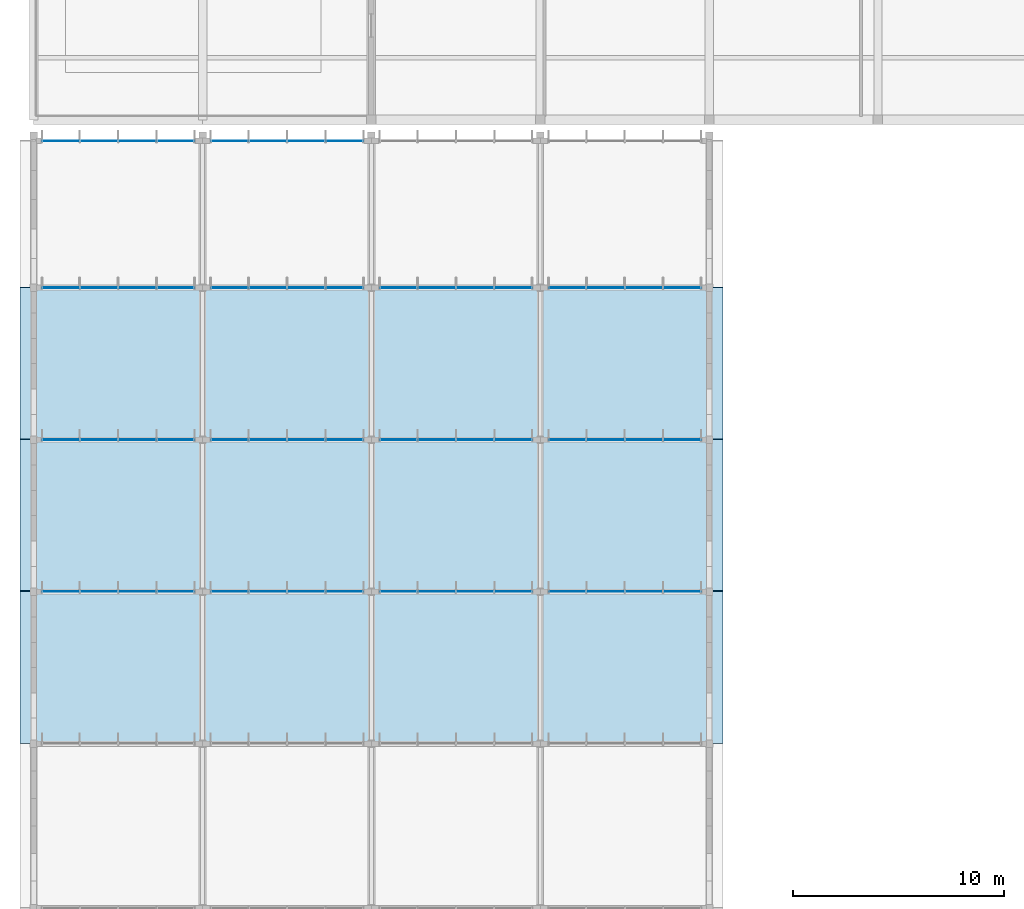
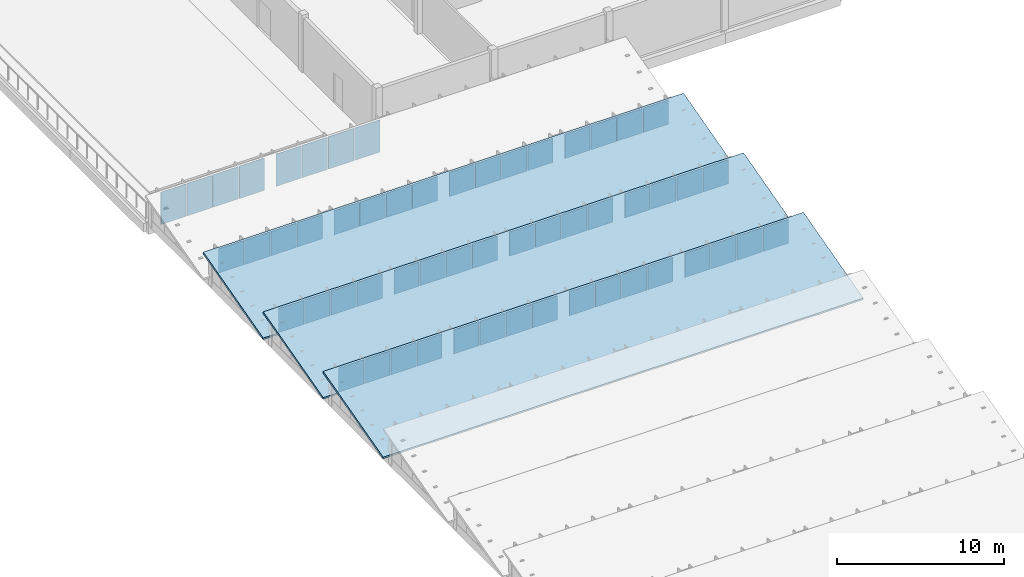
# One storey, part 74 of 94: 56 plates, 3 slabs, 14 elements without a shape of their own.
"""IFC4 building model written with IfcOpenShell, lengths in metres."""

from ifc_helpers import new_model, si_unit, direction, frame, origin, origin_2d, place, context, subcontext, project, spatial, polyline, rectangle, outline, extrude, material, layer, layer_set, type_object, element, aggregate, save


model = new_model("IFC4")

# Units and contexts
model_context = context("Model", 3, precision=1e-05, world=origin(), true_north=direction((0.0, 1.0)))
body_context = subcontext(model_context, "Body", "Model", "MODEL_VIEW")
ifc_project = project(units=[si_unit("LENGTHUNIT", "METRE"), si_unit("AREAUNIT", "SQUARE_METRE"), si_unit("VOLUMEUNIT", "CUBIC_METRE"), si_unit("PLANEANGLEUNIT", "RADIAN"), si_unit("MASSUNIT", "GRAM", prefix="KILO")], contexts=[model_context])

# Site, building, storey
site_placement = place(None, origin())
site = spatial("IfcSite", under=ifc_project, at=site_placement, CompositionType="ELEMENT")
building_placement = place(site_placement, origin())
building = spatial("IfcBuilding", under=site, at=building_placement, Name="Chiffa Square Polytechnic", CompositionType="ELEMENT")
storey_placement = place(building_placement, frame((0.0, 0.0, 18.0)))
storey = spatial("IfcBuildingStorey", under=building, at=storey_placement, Name="L04", CompositionType="ELEMENT", Elevation=18.0)

# Curtain wall, plates
ifc_material_1 = material(Name="Aluminium EN AW-6060 T66 and glulam shading", Category="wood")
curtain_wall_type_1 = type_object("IfcCurtainWallType", Name="CW-VERT-480X380", PredefinedType="USERDEFINED", material=ifc_material_1)
curtain_wall_1_placement = place(storey_placement, origin())
curtain_wall_1 = element("IfcCurtainWall", 1, at=curtain_wall_1_placement, inside=storey, type_object=curtain_wall_type_1, Name="Curtain wall CW-V6-SAW5-1", ObjectType="CURTAIN WALL", PredefinedType="USERDEFINED")
ifc_material_2 = material(Name="Double glazing", Category="glass")
ifc_layer_1 = layer(ifc_material_2, 0.035888671875, Name="Double glazing")
ifc_layer_set_1 = layer_set([ifc_layer_1], Name="Double glazing")
plate_type = type_object("IfcPlateType", Name="CWP-GLZ-150X145", PredefinedType="CURTAIN_PANEL", material=ifc_layer_set_1)
plate_1_placement = place(storey_placement, frame((6.718994140625, 72.60009765625, 0.74951171875), z_axis=(0.0, 0.0, 1.0), x_axis=(-1.0, 0.0, 0.0)))
plate_1 = element("IfcPlate", 2, at=plate_1_placement, type_object=plate_type, Name="Glazed curtain panel CW-V6-SAW5-1-PN01", PredefinedType="CURTAIN_PANEL", context=body_context, shape_type="SweptSolid", body=[
    extrude(rectangle(XDim=1.74609375, YDim=0.035888671875, at=origin_2d()), origin(), (0.0, 0.0, 1.0), 1.779052734375),
])
plate_2_placement = place(storey_placement, frame((4.909912109375, 72.60009765625, 0.74951171875), z_axis=(0.0, 0.0, 1.0), x_axis=(-1.0, 0.0, 0.0)))
plate_2 = element("IfcPlate", 3, at=plate_2_placement, type_object=plate_type, Name="Glazed curtain panel CW-V6-SAW5-1-PN02", PredefinedType="CURTAIN_PANEL", context=body_context, shape_type="SweptSolid", body=[
    extrude(rectangle(XDim=1.76806640625, YDim=0.035888671875, at=origin_2d()), origin(), (0.0, 0.0, 1.0), 1.779052734375),
])
plate_3_placement = place(storey_placement, frame((3.090087890625, 72.60009765625, 0.74951171875), z_axis=(0.0, 0.0, 1.0), x_axis=(-1.0, 0.0, 0.0)))
plate_3 = element("IfcPlate", 4, at=plate_3_placement, type_object=plate_type, Name="Glazed curtain panel CW-V6-SAW5-1-PN03", PredefinedType="CURTAIN_PANEL", context=body_context, shape_type="SweptSolid", body=[
    extrude(rectangle(XDim=1.76806640625, YDim=0.035888671875, at=origin_2d()), origin(), (0.0, 0.0, 1.0), 1.779052734375),
])
plate_4_placement = place(storey_placement, frame((1.281005859375, 72.60009765625, 0.74951171875), z_axis=(0.0, 0.0, 1.0), x_axis=(-1.0, 0.0, 0.0)))
plate_4 = element("IfcPlate", 5, at=plate_4_placement, type_object=plate_type, Name="Glazed curtain panel CW-V6-SAW5-1-PN04", PredefinedType="CURTAIN_PANEL", context=body_context, shape_type="SweptSolid", body=[
    extrude(rectangle(XDim=1.74609375, YDim=0.035888671875, at=origin_2d()), origin(), (0.0, 0.0, 1.0), 1.779052734375),
])
aggregate(curtain_wall_1, [plate_1, plate_2, plate_3, plate_4])

curtain_wall_type_2 = type_object("IfcCurtainWallType", Name="CW-VERT-540X440", PredefinedType="USERDEFINED", material=ifc_material_1)
curtain_wall_2_placement = place(storey_placement, origin())
curtain_wall_2 = element("IfcCurtainWall", 6, at=curtain_wall_2_placement, inside=storey, type_object=curtain_wall_type_2, Name="Curtain wall CW-V6-SAW5-2", ObjectType="CURTAIN WALL", PredefinedType="USERDEFINED")
plate_5_placement = place(storey_placement, frame((14.718994140625, 72.60009765625, 0.74951171875), z_axis=(0.0, 0.0, 1.0), x_axis=(-1.0, 0.0, 0.0)))
plate_5 = element("IfcPlate", 7, at=plate_5_placement, type_object=plate_type, Name="Glazed curtain panel CW-V6-SAW5-2-PN01", PredefinedType="CURTAIN_PANEL", context=body_context, shape_type="SweptSolid", body=[
    extrude(rectangle(XDim=1.74609375, YDim=0.035888671875, at=origin_2d()), origin(), (0.0, 0.0, 1.0), 1.779052734375),
])
plate_6_placement = place(storey_placement, frame((12.909912109375, 72.60009765625, 0.74951171875), z_axis=(0.0, 0.0, 1.0), x_axis=(-1.0, 0.0, 0.0)))
plate_6 = element("IfcPlate", 8, at=plate_6_placement, type_object=plate_type, Name="Glazed curtain panel CW-V6-SAW5-2-PN02", PredefinedType="CURTAIN_PANEL", context=body_context, shape_type="SweptSolid", body=[
    extrude(rectangle(XDim=1.76806640625, YDim=0.035888671875, at=origin_2d()), origin(), (0.0, 0.0, 1.0), 1.779052734375),
])
plate_7_placement = place(storey_placement, frame((11.090087890625, 72.60009765625, 0.74951171875), z_axis=(0.0, 0.0, 1.0), x_axis=(-1.0, 0.0, 0.0)))
plate_7 = element("IfcPlate", 9, at=plate_7_placement, type_object=plate_type, Name="Glazed curtain panel CW-V6-SAW5-2-PN03", PredefinedType="CURTAIN_PANEL", context=body_context, shape_type="SweptSolid", body=[
    extrude(rectangle(XDim=1.76806640625, YDim=0.035888671875, at=origin_2d()), origin(), (0.0, 0.0, 1.0), 1.779052734375),
])
plate_8_placement = place(storey_placement, frame((9.281005859375, 72.60009765625, 0.74951171875), z_axis=(0.0, 0.0, 1.0), x_axis=(-1.0, 0.0, 0.0)))
plate_8 = element("IfcPlate", 10, at=plate_8_placement, type_object=plate_type, Name="Glazed curtain panel CW-V6-SAW5-2-PN04", PredefinedType="CURTAIN_PANEL", context=body_context, shape_type="SweptSolid", body=[
    extrude(rectangle(XDim=1.74609375, YDim=0.035888671875, at=origin_2d()), origin(), (0.0, 0.0, 1.0), 1.779052734375),
])
aggregate(curtain_wall_2, [plate_5, plate_6, plate_7, plate_8])

curtain_wall_type_3 = type_object("IfcCurtainWallType", Name="CW-VERT-450X440", PredefinedType="USERDEFINED", material=ifc_material_1)
curtain_wall_3_placement = place(storey_placement, origin())
curtain_wall_3 = element("IfcCurtainWall", 11, at=curtain_wall_3_placement, inside=storey, type_object=curtain_wall_type_3, Name="Curtain wall CW-V6-SAW5-3", ObjectType="CURTAIN WALL", PredefinedType="USERDEFINED")
plate_9_placement = place(storey_placement, frame((22.718994140625, 72.60009765625, 0.74951171875), z_axis=(0.0, 0.0, 1.0), x_axis=(-1.0, 0.0, 0.0)))
plate_9 = element("IfcPlate", 12, at=plate_9_placement, type_object=plate_type, Name="Glazed curtain panel CW-V6-SAW5-3-PN01", PredefinedType="CURTAIN_PANEL", context=body_context, shape_type="SweptSolid", body=[
    extrude(rectangle(XDim=1.74609375, YDim=0.035888671875, at=origin_2d()), origin(), (0.0, 0.0, 1.0), 1.779052734375),
])
plate_10_placement = place(storey_placement, frame((20.909912109375, 72.60009765625, 0.74951171875), z_axis=(0.0, 0.0, 1.0), x_axis=(-1.0, 0.0, 0.0)))
plate_10 = element("IfcPlate", 13, at=plate_10_placement, type_object=plate_type, Name="Glazed curtain panel CW-V6-SAW5-3-PN02", PredefinedType="CURTAIN_PANEL", context=body_context, shape_type="SweptSolid", body=[
    extrude(rectangle(XDim=1.76806640625, YDim=0.035888671875, at=origin_2d()), origin(), (0.0, 0.0, 1.0), 1.779052734375),
])
plate_11_placement = place(storey_placement, frame((19.090087890625, 72.60009765625, 0.74951171875), z_axis=(0.0, 0.0, 1.0), x_axis=(-1.0, 0.0, 0.0)))
plate_11 = element("IfcPlate", 14, at=plate_11_placement, type_object=plate_type, Name="Glazed curtain panel CW-V6-SAW5-3-PN03", PredefinedType="CURTAIN_PANEL", context=body_context, shape_type="SweptSolid", body=[
    extrude(rectangle(XDim=1.76806640625, YDim=0.035888671875, at=origin_2d()), origin(), (0.0, 0.0, 1.0), 1.779052734375),
])
plate_12_placement = place(storey_placement, frame((17.281005859375, 72.60009765625, 0.74951171875), z_axis=(0.0, 0.0, 1.0), x_axis=(-1.0, 0.0, 0.0)))
plate_12 = element("IfcPlate", 15, at=plate_12_placement, type_object=plate_type, Name="Glazed curtain panel CW-V6-SAW5-3-PN04", PredefinedType="CURTAIN_PANEL", context=body_context, shape_type="SweptSolid", body=[
    extrude(rectangle(XDim=1.74609375, YDim=0.035888671875, at=origin_2d()), origin(), (0.0, 0.0, 1.0), 1.779052734375),
])
aggregate(curtain_wall_3, [plate_9, plate_10, plate_11, plate_12])

curtain_wall_type_4 = type_object("IfcCurtainWallType", Name="CW-VERT-600X440", PredefinedType="USERDEFINED", material=ifc_material_1)
curtain_wall_4_placement = place(storey_placement, origin())
curtain_wall_4 = element("IfcCurtainWall", 16, at=curtain_wall_4_placement, inside=storey, type_object=curtain_wall_type_4, Name="Curtain wall CW-V6-SAW5-4", ObjectType="CURTAIN WALL", PredefinedType="USERDEFINED")
plate_13_placement = place(storey_placement, frame((30.718994140625, 72.60009765625, 0.74951171875), z_axis=(0.0, 0.0, 1.0), x_axis=(-1.0, 0.0, 0.0)))
plate_13 = element("IfcPlate", 17, at=plate_13_placement, type_object=plate_type, Name="Glazed curtain panel CW-V6-SAW5-4-PN01", PredefinedType="CURTAIN_PANEL", context=body_context, shape_type="SweptSolid", body=[
    extrude(rectangle(XDim=1.74609375, YDim=0.035888671875, at=origin_2d()), origin(), (0.0, 0.0, 1.0), 1.779052734375),
])
plate_14_placement = place(storey_placement, frame((28.909912109375, 72.60009765625, 0.74951171875), z_axis=(0.0, 0.0, 1.0), x_axis=(-1.0, 0.0, 0.0)))
plate_14 = element("IfcPlate", 18, at=plate_14_placement, type_object=plate_type, Name="Glazed curtain panel CW-V6-SAW5-4-PN02", PredefinedType="CURTAIN_PANEL", context=body_context, shape_type="SweptSolid", body=[
    extrude(rectangle(XDim=1.76806640625, YDim=0.035888671875, at=origin_2d()), origin(), (0.0, 0.0, 1.0), 1.779052734375),
])
plate_15_placement = place(storey_placement, frame((27.090087890625, 72.60009765625, 0.74951171875), z_axis=(0.0, 0.0, 1.0), x_axis=(-1.0, 0.0, 0.0)))
plate_15 = element("IfcPlate", 19, at=plate_15_placement, type_object=plate_type, Name="Glazed curtain panel CW-V6-SAW5-4-PN03", PredefinedType="CURTAIN_PANEL", context=body_context, shape_type="SweptSolid", body=[
    extrude(rectangle(XDim=1.76806640625, YDim=0.035888671875, at=origin_2d()), origin(), (0.0, 0.0, 1.0), 1.779052734375),
])
plate_16_placement = place(storey_placement, frame((25.281005859375, 72.60009765625, 0.74951171875), z_axis=(0.0, 0.0, 1.0), x_axis=(-1.0, 0.0, 0.0)))
plate_16 = element("IfcPlate", 20, at=plate_16_placement, type_object=plate_type, Name="Glazed curtain panel CW-V6-SAW5-4-PN04", PredefinedType="CURTAIN_PANEL", context=body_context, shape_type="SweptSolid", body=[
    extrude(rectangle(XDim=1.74609375, YDim=0.035888671875, at=origin_2d()), origin(), (0.0, 0.0, 1.0), 1.779052734375),
])
aggregate(curtain_wall_4, [plate_13, plate_14, plate_15, plate_16])

curtain_wall_5_placement = place(storey_placement, origin())
curtain_wall_5 = element("IfcCurtainWall", 21, at=curtain_wall_5_placement, inside=storey, type_object=curtain_wall_type_2, Name="Curtain wall CW-V6-SAW6-1", ObjectType="CURTAIN WALL", PredefinedType="USERDEFINED")
plate_17_placement = place(storey_placement, frame((6.718994140625, 79.800048828125, 0.74951171875), z_axis=(0.0, 0.0, 1.0), x_axis=(-1.0, 0.0, 0.0)))
plate_17 = element("IfcPlate", 22, at=plate_17_placement, type_object=plate_type, Name="Glazed curtain panel CW-V6-SAW6-1-PN01", PredefinedType="CURTAIN_PANEL", context=body_context, shape_type="SweptSolid", body=[
    extrude(rectangle(XDim=1.74609375, YDim=0.035888671875, at=origin_2d()), origin(), (0.0, 0.0, 1.0), 1.779052734375),
])
plate_18_placement = place(storey_placement, frame((4.909912109375, 79.800048828125, 0.74951171875), z_axis=(0.0, 0.0, 1.0), x_axis=(-1.0, 0.0, 0.0)))
plate_18 = element("IfcPlate", 23, at=plate_18_placement, type_object=plate_type, Name="Glazed curtain panel CW-V6-SAW6-1-PN02", PredefinedType="CURTAIN_PANEL", context=body_context, shape_type="SweptSolid", body=[
    extrude(rectangle(XDim=1.76806640625, YDim=0.035888671875, at=origin_2d()), origin(), (0.0, 0.0, 1.0), 1.779052734375),
])
plate_19_placement = place(storey_placement, frame((3.090087890625, 79.800048828125, 0.74951171875), z_axis=(0.0, 0.0, 1.0), x_axis=(-1.0, 0.0, 0.0)))
plate_19 = element("IfcPlate", 24, at=plate_19_placement, type_object=plate_type, Name="Glazed curtain panel CW-V6-SAW6-1-PN03", PredefinedType="CURTAIN_PANEL", context=body_context, shape_type="SweptSolid", body=[
    extrude(rectangle(XDim=1.76806640625, YDim=0.035888671875, at=origin_2d()), origin(), (0.0, 0.0, 1.0), 1.779052734375),
])
plate_20_placement = place(storey_placement, frame((1.281005859375, 79.800048828125, 0.74951171875), z_axis=(0.0, 0.0, 1.0), x_axis=(-1.0, 0.0, 0.0)))
plate_20 = element("IfcPlate", 25, at=plate_20_placement, type_object=plate_type, Name="Glazed curtain panel CW-V6-SAW6-1-PN04", PredefinedType="CURTAIN_PANEL", context=body_context, shape_type="SweptSolid", body=[
    extrude(rectangle(XDim=1.74609375, YDim=0.035888671875, at=origin_2d()), origin(), (0.0, 0.0, 1.0), 1.779052734375),
])
aggregate(curtain_wall_5, [plate_17, plate_18, plate_19, plate_20])

curtain_wall_6_placement = place(storey_placement, origin())
curtain_wall_6 = element("IfcCurtainWall", 26, at=curtain_wall_6_placement, inside=storey, type_object=curtain_wall_type_3, Name="Curtain wall CW-V6-SAW6-2", ObjectType="CURTAIN WALL", PredefinedType="USERDEFINED")
plate_21_placement = place(storey_placement, frame((14.718994140625, 79.800048828125, 0.74951171875), z_axis=(0.0, 0.0, 1.0), x_axis=(-1.0, 0.0, 0.0)))
plate_21 = element("IfcPlate", 27, at=plate_21_placement, type_object=plate_type, Name="Glazed curtain panel CW-V6-SAW6-2-PN01", PredefinedType="CURTAIN_PANEL", context=body_context, shape_type="SweptSolid", body=[
    extrude(rectangle(XDim=1.74609375, YDim=0.035888671875, at=origin_2d()), origin(), (0.0, 0.0, 1.0), 1.779052734375),
])
plate_22_placement = place(storey_placement, frame((12.909912109375, 79.800048828125, 0.74951171875), z_axis=(0.0, 0.0, 1.0), x_axis=(-1.0, 0.0, 0.0)))
plate_22 = element("IfcPlate", 28, at=plate_22_placement, type_object=plate_type, Name="Glazed curtain panel CW-V6-SAW6-2-PN02", PredefinedType="CURTAIN_PANEL", context=body_context, shape_type="SweptSolid", body=[
    extrude(rectangle(XDim=1.76806640625, YDim=0.035888671875, at=origin_2d()), origin(), (0.0, 0.0, 1.0), 1.779052734375),
])
plate_23_placement = place(storey_placement, frame((11.090087890625, 79.800048828125, 0.74951171875), z_axis=(0.0, 0.0, 1.0), x_axis=(-1.0, 0.0, 0.0)))
plate_23 = element("IfcPlate", 29, at=plate_23_placement, type_object=plate_type, Name="Glazed curtain panel CW-V6-SAW6-2-PN03", PredefinedType="CURTAIN_PANEL", context=body_context, shape_type="SweptSolid", body=[
    extrude(rectangle(XDim=1.76806640625, YDim=0.035888671875, at=origin_2d()), origin(), (0.0, 0.0, 1.0), 1.779052734375),
])
plate_24_placement = place(storey_placement, frame((9.281005859375, 79.800048828125, 0.74951171875), z_axis=(0.0, 0.0, 1.0), x_axis=(-1.0, 0.0, 0.0)))
plate_24 = element("IfcPlate", 30, at=plate_24_placement, type_object=plate_type, Name="Glazed curtain panel CW-V6-SAW6-2-PN04", PredefinedType="CURTAIN_PANEL", context=body_context, shape_type="SweptSolid", body=[
    extrude(rectangle(XDim=1.74609375, YDim=0.035888671875, at=origin_2d()), origin(), (0.0, 0.0, 1.0), 1.779052734375),
])
aggregate(curtain_wall_6, [plate_21, plate_22, plate_23, plate_24])

curtain_wall_7_placement = place(storey_placement, origin())
curtain_wall_7 = element("IfcCurtainWall", 31, at=curtain_wall_7_placement, inside=storey, type_object=curtain_wall_type_4, Name="Curtain wall CW-V6-SAW6-3", ObjectType="CURTAIN WALL", PredefinedType="USERDEFINED")
plate_25_placement = place(storey_placement, frame((22.718994140625, 79.800048828125, 0.74951171875), z_axis=(0.0, 0.0, 1.0), x_axis=(-1.0, 0.0, 0.0)))
plate_25 = element("IfcPlate", 32, at=plate_25_placement, type_object=plate_type, Name="Glazed curtain panel CW-V6-SAW6-3-PN01", PredefinedType="CURTAIN_PANEL", context=body_context, shape_type="SweptSolid", body=[
    extrude(rectangle(XDim=1.74609375, YDim=0.035888671875, at=origin_2d()), origin(), (0.0, 0.0, 1.0), 1.779052734375),
])
plate_26_placement = place(storey_placement, frame((20.909912109375, 79.800048828125, 0.74951171875), z_axis=(0.0, 0.0, 1.0), x_axis=(-1.0, 0.0, 0.0)))
plate_26 = element("IfcPlate", 33, at=plate_26_placement, type_object=plate_type, Name="Glazed curtain panel CW-V6-SAW6-3-PN02", PredefinedType="CURTAIN_PANEL", context=body_context, shape_type="SweptSolid", body=[
    extrude(rectangle(XDim=1.76806640625, YDim=0.035888671875, at=origin_2d()), origin(), (0.0, 0.0, 1.0), 1.779052734375),
])
plate_27_placement = place(storey_placement, frame((19.090087890625, 79.800048828125, 0.74951171875), z_axis=(0.0, 0.0, 1.0), x_axis=(-1.0, 0.0, 0.0)))
plate_27 = element("IfcPlate", 34, at=plate_27_placement, type_object=plate_type, Name="Glazed curtain panel CW-V6-SAW6-3-PN03", PredefinedType="CURTAIN_PANEL", context=body_context, shape_type="SweptSolid", body=[
    extrude(rectangle(XDim=1.76806640625, YDim=0.035888671875, at=origin_2d()), origin(), (0.0, 0.0, 1.0), 1.779052734375),
])
plate_28_placement = place(storey_placement, frame((17.281005859375, 79.800048828125, 0.74951171875), z_axis=(0.0, 0.0, 1.0), x_axis=(-1.0, 0.0, 0.0)))
plate_28 = element("IfcPlate", 35, at=plate_28_placement, type_object=plate_type, Name="Glazed curtain panel CW-V6-SAW6-3-PN04", PredefinedType="CURTAIN_PANEL", context=body_context, shape_type="SweptSolid", body=[
    extrude(rectangle(XDim=1.74609375, YDim=0.035888671875, at=origin_2d()), origin(), (0.0, 0.0, 1.0), 1.779052734375),
])
aggregate(curtain_wall_7, [plate_25, plate_26, plate_27, plate_28])

curtain_wall_type_5 = type_object("IfcCurtainWallType", Name="CW-VERT-450X380", PredefinedType="USERDEFINED", material=ifc_material_1)
curtain_wall_8_placement = place(storey_placement, origin())
curtain_wall_8 = element("IfcCurtainWall", 36, at=curtain_wall_8_placement, inside=storey, type_object=curtain_wall_type_5, Name="Curtain wall CW-V6-SAW6-4", ObjectType="CURTAIN WALL", PredefinedType="USERDEFINED")
plate_29_placement = place(storey_placement, frame((30.718994140625, 79.800048828125, 0.74951171875), z_axis=(0.0, 0.0, 1.0), x_axis=(-1.0, 0.0, 0.0)))
plate_29 = element("IfcPlate", 37, at=plate_29_placement, type_object=plate_type, Name="Glazed curtain panel CW-V6-SAW6-4-PN01", PredefinedType="CURTAIN_PANEL", context=body_context, shape_type="SweptSolid", body=[
    extrude(rectangle(XDim=1.74609375, YDim=0.035888671875, at=origin_2d()), origin(), (0.0, 0.0, 1.0), 1.779052734375),
])
plate_30_placement = place(storey_placement, frame((28.909912109375, 79.800048828125, 0.74951171875), z_axis=(0.0, 0.0, 1.0), x_axis=(-1.0, 0.0, 0.0)))
plate_30 = element("IfcPlate", 38, at=plate_30_placement, type_object=plate_type, Name="Glazed curtain panel CW-V6-SAW6-4-PN02", PredefinedType="CURTAIN_PANEL", context=body_context, shape_type="SweptSolid", body=[
    extrude(rectangle(XDim=1.76806640625, YDim=0.035888671875, at=origin_2d()), origin(), (0.0, 0.0, 1.0), 1.779052734375),
])
plate_31_placement = place(storey_placement, frame((27.090087890625, 79.800048828125, 0.74951171875), z_axis=(0.0, 0.0, 1.0), x_axis=(-1.0, 0.0, 0.0)))
plate_31 = element("IfcPlate", 39, at=plate_31_placement, type_object=plate_type, Name="Glazed curtain panel CW-V6-SAW6-4-PN03", PredefinedType="CURTAIN_PANEL", context=body_context, shape_type="SweptSolid", body=[
    extrude(rectangle(XDim=1.76806640625, YDim=0.035888671875, at=origin_2d()), origin(), (0.0, 0.0, 1.0), 1.779052734375),
])
plate_32_placement = place(storey_placement, frame((25.281005859375, 79.800048828125, 0.74951171875), z_axis=(0.0, 0.0, 1.0), x_axis=(-1.0, 0.0, 0.0)))
plate_32 = element("IfcPlate", 40, at=plate_32_placement, type_object=plate_type, Name="Glazed curtain panel CW-V6-SAW6-4-PN04", PredefinedType="CURTAIN_PANEL", context=body_context, shape_type="SweptSolid", body=[
    extrude(rectangle(XDim=1.74609375, YDim=0.035888671875, at=origin_2d()), origin(), (0.0, 0.0, 1.0), 1.779052734375),
])
aggregate(curtain_wall_8, [plate_29, plate_30, plate_31, plate_32])

curtain_wall_9_placement = place(storey_placement, origin())
curtain_wall_9 = element("IfcCurtainWall", 41, at=curtain_wall_9_placement, inside=storey, type_object=curtain_wall_type_3, Name="Curtain wall CW-V6-SAW7-1", ObjectType="CURTAIN WALL", PredefinedType="USERDEFINED")
plate_33_placement = place(storey_placement, frame((6.718994140625, 87.0, 0.74951171875), z_axis=(0.0, 0.0, 1.0), x_axis=(-1.0, 0.0, 0.0)))
plate_33 = element("IfcPlate", 42, at=plate_33_placement, type_object=plate_type, Name="Glazed curtain panel CW-V6-SAW7-1-PN01", PredefinedType="CURTAIN_PANEL", context=body_context, shape_type="SweptSolid", body=[
    extrude(rectangle(XDim=1.74609375, YDim=0.035888671875, at=origin_2d()), origin(), (0.0, 0.0, 1.0), 1.779052734375),
])
plate_34_placement = place(storey_placement, frame((4.909912109375, 87.0, 0.74951171875), z_axis=(0.0, 0.0, 1.0), x_axis=(-1.0, 0.0, 0.0)))
plate_34 = element("IfcPlate", 43, at=plate_34_placement, type_object=plate_type, Name="Glazed curtain panel CW-V6-SAW7-1-PN02", PredefinedType="CURTAIN_PANEL", context=body_context, shape_type="SweptSolid", body=[
    extrude(rectangle(XDim=1.76806640625, YDim=0.035888671875, at=origin_2d()), origin(), (0.0, 0.0, 1.0), 1.779052734375),
])
plate_35_placement = place(storey_placement, frame((3.090087890625, 87.0, 0.74951171875), z_axis=(0.0, 0.0, 1.0), x_axis=(-1.0, 0.0, 0.0)))
plate_35 = element("IfcPlate", 44, at=plate_35_placement, type_object=plate_type, Name="Glazed curtain panel CW-V6-SAW7-1-PN03", PredefinedType="CURTAIN_PANEL", context=body_context, shape_type="SweptSolid", body=[
    extrude(rectangle(XDim=1.76806640625, YDim=0.035888671875, at=origin_2d()), origin(), (0.0, 0.0, 1.0), 1.779052734375),
])
plate_36_placement = place(storey_placement, frame((1.281005859375, 87.0, 0.74951171875), z_axis=(0.0, 0.0, 1.0), x_axis=(-1.0, 0.0, 0.0)))
plate_36 = element("IfcPlate", 45, at=plate_36_placement, type_object=plate_type, Name="Glazed curtain panel CW-V6-SAW7-1-PN04", PredefinedType="CURTAIN_PANEL", context=body_context, shape_type="SweptSolid", body=[
    extrude(rectangle(XDim=1.74609375, YDim=0.035888671875, at=origin_2d()), origin(), (0.0, 0.0, 1.0), 1.779052734375),
])
aggregate(curtain_wall_9, [plate_33, plate_34, plate_35, plate_36])

curtain_wall_10_placement = place(storey_placement, origin())
curtain_wall_10 = element("IfcCurtainWall", 46, at=curtain_wall_10_placement, inside=storey, type_object=curtain_wall_type_4, Name="Curtain wall CW-V6-SAW7-2", ObjectType="CURTAIN WALL", PredefinedType="USERDEFINED")
plate_37_placement = place(storey_placement, frame((14.718994140625, 87.0, 0.74951171875), z_axis=(0.0, 0.0, 1.0), x_axis=(-1.0, 0.0, 0.0)))
plate_37 = element("IfcPlate", 47, at=plate_37_placement, type_object=plate_type, Name="Glazed curtain panel CW-V6-SAW7-2-PN01", PredefinedType="CURTAIN_PANEL", context=body_context, shape_type="SweptSolid", body=[
    extrude(rectangle(XDim=1.74609375, YDim=0.035888671875, at=origin_2d()), origin(), (0.0, 0.0, 1.0), 1.779052734375),
])
plate_38_placement = place(storey_placement, frame((12.909912109375, 87.0, 0.74951171875), z_axis=(0.0, 0.0, 1.0), x_axis=(-1.0, 0.0, 0.0)))
plate_38 = element("IfcPlate", 48, at=plate_38_placement, type_object=plate_type, Name="Glazed curtain panel CW-V6-SAW7-2-PN02", PredefinedType="CURTAIN_PANEL", context=body_context, shape_type="SweptSolid", body=[
    extrude(rectangle(XDim=1.76806640625, YDim=0.035888671875, at=origin_2d()), origin(), (0.0, 0.0, 1.0), 1.779052734375),
])
plate_39_placement = place(storey_placement, frame((11.090087890625, 87.0, 0.74951171875), z_axis=(0.0, 0.0, 1.0), x_axis=(-1.0, 0.0, 0.0)))
plate_39 = element("IfcPlate", 49, at=plate_39_placement, type_object=plate_type, Name="Glazed curtain panel CW-V6-SAW7-2-PN03", PredefinedType="CURTAIN_PANEL", context=body_context, shape_type="SweptSolid", body=[
    extrude(rectangle(XDim=1.76806640625, YDim=0.035888671875, at=origin_2d()), origin(), (0.0, 0.0, 1.0), 1.779052734375),
])
plate_40_placement = place(storey_placement, frame((9.281005859375, 87.0, 0.74951171875), z_axis=(0.0, 0.0, 1.0), x_axis=(-1.0, 0.0, 0.0)))
plate_40 = element("IfcPlate", 50, at=plate_40_placement, type_object=plate_type, Name="Glazed curtain panel CW-V6-SAW7-2-PN04", PredefinedType="CURTAIN_PANEL", context=body_context, shape_type="SweptSolid", body=[
    extrude(rectangle(XDim=1.74609375, YDim=0.035888671875, at=origin_2d()), origin(), (0.0, 0.0, 1.0), 1.779052734375),
])
aggregate(curtain_wall_10, [plate_37, plate_38, plate_39, plate_40])

curtain_wall_11_placement = place(storey_placement, origin())
curtain_wall_11 = element("IfcCurtainWall", 51, at=curtain_wall_11_placement, inside=storey, type_object=curtain_wall_type_5, Name="Curtain wall CW-V6-SAW7-3", ObjectType="CURTAIN WALL", PredefinedType="USERDEFINED")
plate_41_placement = place(storey_placement, frame((22.718994140625, 87.0, 0.74951171875), z_axis=(0.0, 0.0, 1.0), x_axis=(-1.0, 0.0, 0.0)))
plate_41 = element("IfcPlate", 52, at=plate_41_placement, type_object=plate_type, Name="Glazed curtain panel CW-V6-SAW7-3-PN01", PredefinedType="CURTAIN_PANEL", context=body_context, shape_type="SweptSolid", body=[
    extrude(rectangle(XDim=1.74609375, YDim=0.035888671875, at=origin_2d()), origin(), (0.0, 0.0, 1.0), 1.779052734375),
])
plate_42_placement = place(storey_placement, frame((20.909912109375, 87.0, 0.74951171875), z_axis=(0.0, 0.0, 1.0), x_axis=(-1.0, 0.0, 0.0)))
plate_42 = element("IfcPlate", 53, at=plate_42_placement, type_object=plate_type, Name="Glazed curtain panel CW-V6-SAW7-3-PN02", PredefinedType="CURTAIN_PANEL", context=body_context, shape_type="SweptSolid", body=[
    extrude(rectangle(XDim=1.76806640625, YDim=0.035888671875, at=origin_2d()), origin(), (0.0, 0.0, 1.0), 1.779052734375),
])
plate_43_placement = place(storey_placement, frame((19.090087890625, 87.0, 0.74951171875), z_axis=(0.0, 0.0, 1.0), x_axis=(-1.0, 0.0, 0.0)))
plate_43 = element("IfcPlate", 54, at=plate_43_placement, type_object=plate_type, Name="Glazed curtain panel CW-V6-SAW7-3-PN03", PredefinedType="CURTAIN_PANEL", context=body_context, shape_type="SweptSolid", body=[
    extrude(rectangle(XDim=1.76806640625, YDim=0.035888671875, at=origin_2d()), origin(), (0.0, 0.0, 1.0), 1.779052734375),
])
plate_44_placement = place(storey_placement, frame((17.281005859375, 87.0, 0.74951171875), z_axis=(0.0, 0.0, 1.0), x_axis=(-1.0, 0.0, 0.0)))
plate_44 = element("IfcPlate", 55, at=plate_44_placement, type_object=plate_type, Name="Glazed curtain panel CW-V6-SAW7-3-PN04", PredefinedType="CURTAIN_PANEL", context=body_context, shape_type="SweptSolid", body=[
    extrude(rectangle(XDim=1.74609375, YDim=0.035888671875, at=origin_2d()), origin(), (0.0, 0.0, 1.0), 1.779052734375),
])
aggregate(curtain_wall_11, [plate_41, plate_42, plate_43, plate_44])

curtain_wall_type_6 = type_object("IfcCurtainWallType", Name="CW-VERT-300X380", PredefinedType="USERDEFINED", material=ifc_material_1)
curtain_wall_12_placement = place(storey_placement, origin())
curtain_wall_12 = element("IfcCurtainWall", 56, at=curtain_wall_12_placement, inside=storey, type_object=curtain_wall_type_6, Name="Curtain wall CW-V6-SAW7-4", ObjectType="CURTAIN WALL", PredefinedType="USERDEFINED")
plate_45_placement = place(storey_placement, frame((30.718994140625, 87.0, 0.74951171875), z_axis=(0.0, 0.0, 1.0), x_axis=(-1.0, 0.0, 0.0)))
plate_45 = element("IfcPlate", 57, at=plate_45_placement, type_object=plate_type, Name="Glazed curtain panel CW-V6-SAW7-4-PN01", PredefinedType="CURTAIN_PANEL", context=body_context, shape_type="SweptSolid", body=[
    extrude(rectangle(XDim=1.74609375, YDim=0.035888671875, at=origin_2d()), origin(), (0.0, 0.0, 1.0), 1.779052734375),
])
plate_46_placement = place(storey_placement, frame((28.909912109375, 87.0, 0.74951171875), z_axis=(0.0, 0.0, 1.0), x_axis=(-1.0, 0.0, 0.0)))
plate_46 = element("IfcPlate", 58, at=plate_46_placement, type_object=plate_type, Name="Glazed curtain panel CW-V6-SAW7-4-PN02", PredefinedType="CURTAIN_PANEL", context=body_context, shape_type="SweptSolid", body=[
    extrude(rectangle(XDim=1.76806640625, YDim=0.035888671875, at=origin_2d()), origin(), (0.0, 0.0, 1.0), 1.779052734375),
])
plate_47_placement = place(storey_placement, frame((27.090087890625, 87.0, 0.74951171875), z_axis=(0.0, 0.0, 1.0), x_axis=(-1.0, 0.0, 0.0)))
plate_47 = element("IfcPlate", 59, at=plate_47_placement, type_object=plate_type, Name="Glazed curtain panel CW-V6-SAW7-4-PN03", PredefinedType="CURTAIN_PANEL", context=body_context, shape_type="SweptSolid", body=[
    extrude(rectangle(XDim=1.76806640625, YDim=0.035888671875, at=origin_2d()), origin(), (0.0, 0.0, 1.0), 1.779052734375),
])
plate_48_placement = place(storey_placement, frame((25.281005859375, 87.0, 0.74951171875), z_axis=(0.0, 0.0, 1.0), x_axis=(-1.0, 0.0, 0.0)))
plate_48 = element("IfcPlate", 60, at=plate_48_placement, type_object=plate_type, Name="Glazed curtain panel CW-V6-SAW7-4-PN04", PredefinedType="CURTAIN_PANEL", context=body_context, shape_type="SweptSolid", body=[
    extrude(rectangle(XDim=1.74609375, YDim=0.035888671875, at=origin_2d()), origin(), (0.0, 0.0, 1.0), 1.779052734375),
])
aggregate(curtain_wall_12, [plate_45, plate_46, plate_47, plate_48])

curtain_wall_13_placement = place(storey_placement, origin())
curtain_wall_13 = element("IfcCurtainWall", 61, at=curtain_wall_13_placement, inside=storey, type_object=curtain_wall_type_4, Name="Curtain wall CW-V6-SAW8-1", ObjectType="CURTAIN WALL", PredefinedType="USERDEFINED")
plate_49_placement = place(storey_placement, frame((6.718994140625, 93.949951171875, 0.08984375), z_axis=(0.0, 0.0, 1.0), x_axis=(-1.0, 0.0, 0.0)))
plate_49 = element("IfcPlate", 62, at=plate_49_placement, type_object=plate_type, Name="Glazed curtain panel CW-V6-SAW8-1-PN01", PredefinedType="CURTAIN_PANEL", context=body_context, shape_type="SweptSolid", body=[
    extrude(rectangle(XDim=1.74609375, YDim=0.035888671875, at=origin_2d()), origin(), (0.0, 0.0, 1.0), 2.3720703125),
])
plate_50_placement = place(storey_placement, frame((4.909912109375, 93.949951171875, 0.08984375), z_axis=(0.0, 0.0, 1.0), x_axis=(-1.0, 0.0, 0.0)))
plate_50 = element("IfcPlate", 63, at=plate_50_placement, type_object=plate_type, Name="Glazed curtain panel CW-V6-SAW8-1-PN02", PredefinedType="CURTAIN_PANEL", context=body_context, shape_type="SweptSolid", body=[
    extrude(rectangle(XDim=1.76806640625, YDim=0.035888671875, at=origin_2d()), origin(), (0.0, 0.0, 1.0), 2.3720703125),
])
plate_51_placement = place(storey_placement, frame((3.090087890625, 93.949951171875, 0.08984375), z_axis=(0.0, 0.0, 1.0), x_axis=(-1.0, 0.0, 0.0)))
plate_51 = element("IfcPlate", 64, at=plate_51_placement, type_object=plate_type, Name="Glazed curtain panel CW-V6-SAW8-1-PN03", PredefinedType="CURTAIN_PANEL", context=body_context, shape_type="SweptSolid", body=[
    extrude(rectangle(XDim=1.76806640625, YDim=0.035888671875, at=origin_2d()), origin(), (0.0, 0.0, 1.0), 2.3720703125),
])
plate_52_placement = place(storey_placement, frame((1.281005859375, 93.949951171875, 0.08984375), z_axis=(0.0, 0.0, 1.0), x_axis=(-1.0, 0.0, 0.0)))
plate_52 = element("IfcPlate", 65, at=plate_52_placement, type_object=plate_type, Name="Glazed curtain panel CW-V6-SAW8-1-PN04", PredefinedType="CURTAIN_PANEL", context=body_context, shape_type="SweptSolid", body=[
    extrude(rectangle(XDim=1.74609375, YDim=0.035888671875, at=origin_2d()), origin(), (0.0, 0.0, 1.0), 2.3720703125),
])
aggregate(curtain_wall_13, [plate_49, plate_50, plate_51, plate_52])

curtain_wall_14_placement = place(storey_placement, origin())
curtain_wall_14 = element("IfcCurtainWall", 66, at=curtain_wall_14_placement, inside=storey, type_object=curtain_wall_type_5, Name="Curtain wall CW-V6-SAW8-2", ObjectType="CURTAIN WALL", PredefinedType="USERDEFINED")
plate_53_placement = place(storey_placement, frame((14.718994140625, 93.949951171875, 0.08984375), z_axis=(0.0, 0.0, 1.0), x_axis=(-1.0, 0.0, 0.0)))
plate_53 = element("IfcPlate", 67, at=plate_53_placement, type_object=plate_type, Name="Glazed curtain panel CW-V6-SAW8-2-PN01", PredefinedType="CURTAIN_PANEL", context=body_context, shape_type="SweptSolid", body=[
    extrude(rectangle(XDim=1.74609375, YDim=0.035888671875, at=origin_2d()), origin(), (0.0, 0.0, 1.0), 2.3720703125),
])
plate_54_placement = place(storey_placement, frame((12.909912109375, 93.949951171875, 0.08984375), z_axis=(0.0, 0.0, 1.0), x_axis=(-1.0, 0.0, 0.0)))
plate_54 = element("IfcPlate", 68, at=plate_54_placement, type_object=plate_type, Name="Glazed curtain panel CW-V6-SAW8-2-PN02", PredefinedType="CURTAIN_PANEL", context=body_context, shape_type="SweptSolid", body=[
    extrude(rectangle(XDim=1.76806640625, YDim=0.035888671875, at=origin_2d()), origin(), (0.0, 0.0, 1.0), 2.3720703125),
])
plate_55_placement = place(storey_placement, frame((11.090087890625, 93.949951171875, 0.08984375), z_axis=(0.0, 0.0, 1.0), x_axis=(-1.0, 0.0, 0.0)))
plate_55 = element("IfcPlate", 69, at=plate_55_placement, type_object=plate_type, Name="Glazed curtain panel CW-V6-SAW8-2-PN03", PredefinedType="CURTAIN_PANEL", context=body_context, shape_type="SweptSolid", body=[
    extrude(rectangle(XDim=1.76806640625, YDim=0.035888671875, at=origin_2d()), origin(), (0.0, 0.0, 1.0), 2.3720703125),
])
plate_56_placement = place(storey_placement, frame((9.281005859375, 93.949951171875, 0.08984375), z_axis=(0.0, 0.0, 1.0), x_axis=(-1.0, 0.0, 0.0)))
plate_56 = element("IfcPlate", 70, at=plate_56_placement, type_object=plate_type, Name="Glazed curtain panel CW-V6-SAW8-2-PN04", PredefinedType="CURTAIN_PANEL", context=body_context, shape_type="SweptSolid", body=[
    extrude(rectangle(XDim=1.74609375, YDim=0.035888671875, at=origin_2d()), origin(), (0.0, 0.0, 1.0), 2.3720703125),
])
aggregate(curtain_wall_14, [plate_53, plate_54, plate_55, plate_56])

# Slabs
ifc_material_3 = material(Name="CLT C24", Category="wood")
ifc_layer_2 = layer(ifc_material_3, 0.14990234375, Name="CLT C24")
ifc_layer_set_2 = layer_set([ifc_layer_2], Name="CLT C24")
slab_type_1 = type_object("IfcSlabType", Name="SLB-ROOF-150", PredefinedType="ROOF", material=ifc_layer_set_2)
slab_1_placement = place(storey_placement, frame((-0.64990234375, 72.60009765625, 0.719970703125), z_axis=(0.0, -0.258785746309, 0.965934748059), x_axis=(1.0, 0.0, 0.0)))
element("IfcSlab", 71, at=slab_1_placement, inside=storey, type_object=slab_type_1, Name="Studio sawtooth roof slab SLB-ROOF-V6-SAW06", PredefinedType="ROOF", context=body_context, shape_type="SweptSolid", body=[
    extrude(outline(polyline([(0.0, 0.0), (33.2998046875, 0.0), (33.2998046875, 7.453869100729392), (0.0, 7.453869100729392), (0.0, 0.0)])), origin(), (0.0, 0.0, -1.0), 0.14990234375),
])
ifc_layer_3 = layer(ifc_material_3, 0.159912109375, Name="CLT C24")
ifc_layer_set_3 = layer_set([ifc_layer_3], Name="CLT C24")
slab_type_2 = type_object("IfcSlabType", Name="SLB-ROOF-160", PredefinedType="ROOF", material=ifc_layer_set_3)
slab_2_placement = place(storey_placement, frame((-0.64990234375, 65.39990234375, 0.719970703125), z_axis=(0.0, -0.258777559151, 0.965936941461), x_axis=(1.0, 0.0, 0.0)))
element("IfcSlab", 72, at=slab_2_placement, inside=storey, type_object=slab_type_2, Name="Studio sawtooth roof slab SLB-ROOF-V6-SAW05", PredefinedType="ROOF", context=body_context, shape_type="SweptSolid", body=[
    extrude(outline(polyline([(0.0, 0.0), (33.2998046875, 0.0), (33.2998046875, 7.454104924910247), (0.0, 7.454104924910247), (0.0, 0.0)])), origin(), (0.0, 0.0, -1.0), 0.159912109375),
])
slab_3_placement = place(storey_placement, frame((-0.64990234375, 79.800048828125, 0.719970703125), z_axis=(0.0, -0.258785746309, 0.965934748059), x_axis=(1.0, 0.0, 0.0)))
element("IfcSlab", 73, at=slab_3_placement, inside=storey, type_object=slab_type_2, Name="Studio sawtooth roof slab SLB-ROOF-V6-SAW07", PredefinedType="ROOF", context=body_context, shape_type="SweptSolid", body=[
    extrude(outline(polyline([(0.0, 0.0), (33.2998046875, 0.0), (33.2998046875, 7.453869100729392), (0.0, 7.453869100729392), (0.0, 0.0)])), origin(), (0.0, 0.0, -1.0), 0.159912109375),
])

save(model, "model.ifc")
